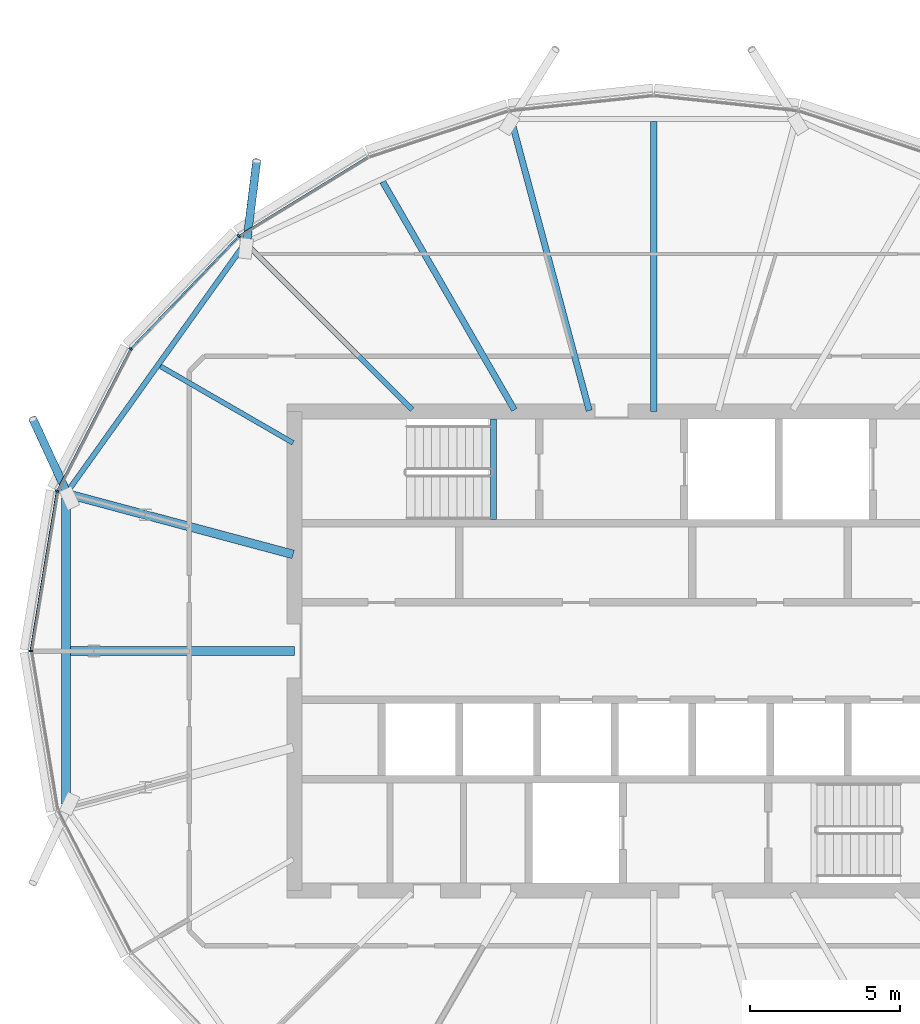
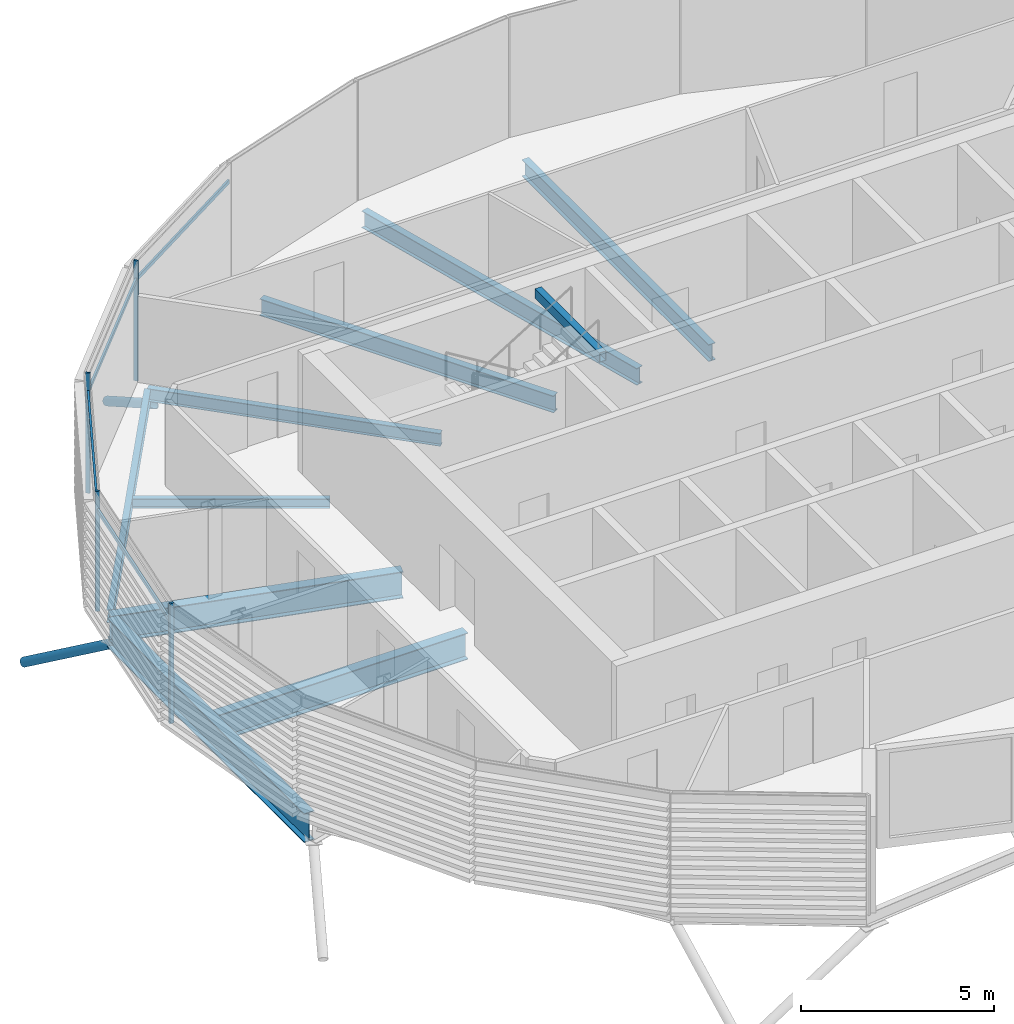
# One storey, part 5 of 35: 10 beams, 10 members, 1 element without a shape of its own.
"""IFC4 building model written with IfcOpenShell, lengths in metres."""

from ifc_helpers import new_model, si_unit, direction, frame, origin, origin_2d, place, context, subcontext, project, spatial, rectangle, hollow_rectangle, hollow_circle, i_section, extrude, clip, halfspace, material, material_profile, profile_set, type_object, element, aggregate, save


model = new_model("IFC4")

# Units and contexts
model_context = context("Model", 3, precision=1e-05, world=origin(), true_north=direction((0.0, 1.0)))
body_context = subcontext(model_context, "Body", "Model", "MODEL_VIEW")
ifc_project = project(units=[si_unit("LENGTHUNIT", "METRE"), si_unit("AREAUNIT", "SQUARE_METRE"), si_unit("VOLUMEUNIT", "CUBIC_METRE"), si_unit("PLANEANGLEUNIT", "RADIAN"), si_unit("MASSUNIT", "GRAM", prefix="KILO")], contexts=[model_context])

# Site, building, storey
site_placement = place(None, origin())
site = spatial("IfcSite", under=ifc_project, at=site_placement, CompositionType="ELEMENT")
building_placement = place(site_placement, origin())
building = spatial("IfcBuilding", under=site, at=building_placement, Name="Rimbun Link Towers", CompositionType="ELEMENT")
storey_placement = place(building_placement, frame((0.0, 0.0, 229.5)))
storey = spatial("IfcBuildingStorey", under=building, at=storey_placement, Name="L56", CompositionType="ELEMENT", Elevation=229.5)

# Curtain wall, members
ifc_material_1 = material(Name="Aluminium 6063-T6 and low-iron glass", Category="aluminium")
curtain_wall_type = type_object("IfcCurtainWallType", Name="CW1-Z4 unitised vision wall (zone 4)", PredefinedType="NOTDEFINED", material=ifc_material_1)
curtain_wall_placement = place(storey_placement, origin())
curtain_wall = element("IfcCurtainWall", 1, at=curtain_wall_placement, inside=storey, type_object=curtain_wall_type, Name="CW1 L56 T1", PredefinedType="NOTDEFINED")
ifc_material_2 = material(Name="Aluminium 6063-T6", Category="aluminium")
ifc_material_profile_1 = material_profile(ifc_material_2, rectangle(XDim=0.1201171875, YDim=0.06005859375, at=origin_2d()), Name="MULLION 60X120")
ifc_profile_set_1 = profile_set([ifc_material_profile_1], Name="Aluminium 6063-T6")
member_type_1 = type_object("IfcMemberType", Name="CW1 mullion 60X120", PredefinedType="MULLION", material=ifc_profile_set_1)
member_1_placement = place(storey_placement, frame((-45.6025390625, 13.86181640625, 0.0), z_axis=(0.0, 0.0, 1.0), x_axis=(-0.627673312143, 0.778476854649, 0.0)))
member_1 = element("IfcMember", 2, at=member_1_placement, type_object=member_type_1, Name="CW1 mullion", PredefinedType="MULLION", context=body_context, shape_type="SweptSolid", body=[
    extrude(rectangle(XDim=0.1201171875, YDim=0.06005859375, at=origin_2d()), origin(), (0.0, 0.0, 1.0), 3.800048828125),
])
member_2_placement = place(storey_placement, frame((-49.217041015625, 10.09130859375, 0.0), z_axis=(0.0, 0.0, 1.0), x_axis=(-0.813353544339, 0.581769724128, 0.0)))
member_2 = element("IfcMember", 3, at=member_2_placement, type_object=member_type_1, Name="CW1 mullion", PredefinedType="MULLION", context=body_context, shape_type="SweptSolid", body=[
    extrude(rectangle(XDim=0.1201171875, YDim=0.06005859375, at=origin_2d()), origin(), (0.0, 0.0, 1.0), 3.800048828125),
])
member_3_placement = place(storey_placement, frame((-51.67431640625, 5.34228515625, 0.0), z_axis=(0.0, 0.0, 1.0), x_axis=(-0.949161267269, 0.314790229704, 0.0)))
member_3 = element("IfcMember", 4, at=member_3_placement, type_object=member_type_1, Name="CW1 mullion", PredefinedType="MULLION", context=body_context, shape_type="SweptSolid", body=[
    extrude(rectangle(XDim=0.1201171875, YDim=0.06005859375, at=origin_2d()), origin(), (0.0, 0.0, 1.0), 3.800048828125),
])
member_4_placement = place(storey_placement, frame((-52.552734375, 0.0, 0.0), z_axis=(0.0, 0.0, 1.0), x_axis=(-1.0, 0.0, 0.0)))
member_4 = element("IfcMember", 5, at=member_4_placement, type_object=member_type_1, Name="CW1 mullion", PredefinedType="MULLION", context=body_context, shape_type="SweptSolid", body=[
    extrude(rectangle(XDim=0.1201171875, YDim=0.06005859375, at=origin_2d()), origin(), (0.0, 0.0, 1.0), 3.800048828125),
])
ifc_material_3 = material(Name="Aluminium 6063-T6", Category="aluminium")
ifc_material_profile_2 = material_profile(ifc_material_3, rectangle(XDim=0.06005859375, YDim=0.1201171875, at=origin_2d()), Name="TRANSOM 60X120")
ifc_profile_set_2 = profile_set([ifc_material_profile_2], Name="Aluminium 6063-T6")
member_type_2 = type_object("IfcMemberType", Name="CW1 transom 60X120", PredefinedType="USERDEFINED", material=ifc_profile_set_2)
member_5_placement = place(storey_placement, frame((-45.56982421875, 13.880126953125, 3.199951171875), z_axis=(0.852186126719, 0.523238765219, 0.0), x_axis=(-0.523238765219, 0.852186126719, 0.0)))
member_5 = element("IfcMember", 6, at=member_5_placement, type_object=member_type_2, Name="CW1 transom", ObjectType="TRANSOM", PredefinedType="USERDEFINED", context=body_context, shape_type="SweptSolid", body=[
    extrude(rectangle(XDim=0.06005859375, YDim=0.1201171875, at=origin_2d()), origin(), (0.0, 0.0, 1.0), 4.99853515625),
])
member_6_placement = place(storey_placement, frame((-49.189453125, 10.118408203125, 3.199951171875), z_axis=(0.692054741988, 0.721845020826, 0.0), x_axis=(-0.721845020826, 0.692054741988, 0.0)))
member_6 = element("IfcMember", 7, at=member_6_placement, type_object=member_type_2, Name="CW1 transom", ObjectType="TRANSOM", PredefinedType="USERDEFINED", context=body_context, shape_type="SweptSolid", body=[
    extrude(rectangle(XDim=0.06005859375, YDim=0.1201171875, at=origin_2d()), origin(), (0.0, 0.0, 1.0), 5.146728515625),
])
member_7_placement = place(storey_placement, frame((-51.655029296875, 5.376708984375, 3.199951171875), z_axis=(0.459551487433, 0.888151130381, 0.0), x_axis=(-0.888151130381, 0.459551487433, 0.0)))
member_7 = element("IfcMember", 8, at=member_7_placement, type_object=member_type_2, Name="CW1 transom", ObjectType="TRANSOM", PredefinedType="USERDEFINED", context=body_context, shape_type="SweptSolid", body=[
    extrude(rectangle(XDim=0.06005859375, YDim=0.1201171875, at=origin_2d()), origin(), (0.0, 0.0, 1.0), 5.26904296875),
])
member_8_placement = place(storey_placement, frame((-52.545166015625, 0.0390625, 3.199951171875), z_axis=(0.162276185326, 0.986745377327, 0.0), x_axis=(-0.986745377327, 0.162276185326, 0.0)))
member_8 = element("IfcMember", 9, at=member_8_placement, type_object=member_type_2, Name="CW1 transom", ObjectType="TRANSOM", PredefinedType="USERDEFINED", context=body_context, shape_type="SweptSolid", body=[
    extrude(rectangle(XDim=0.06005859375, YDim=0.1201171875, at=origin_2d()), origin(), (0.0, 0.0, 1.0), 5.3349609375),
])
aggregate(curtain_wall, [member_1, member_2, member_3, member_4, member_5, member_6, member_7, member_8])

# Members
ifc_material_4 = material(Name="Steel S355J2H", Category="steel")
ifc_material_profile_3 = material_profile(ifc_material_4, hollow_circle(Radius=0.136474609375, WallThickness=0.012451171875, at=origin_2d()), Name="CHS 273x12.5")
ifc_profile_set_3 = profile_set([ifc_material_profile_3], Name="Steel S355J2H")
member_type_3 = type_object("IfcMemberType", Name="Floor edge link CHS 273x12.5", PredefinedType="BRACE", material=ifc_profile_set_3)
member_9_placement = place(storey_placement, frame((-45.347900390625, 13.597900390625, -0.66259765625), z_axis=(0.104720868563, 0.84490194026, -0.524570539616), x_axis=(-0.992406273386, 0.123003205419, 0.0)))
element("IfcMember", 10, at=member_9_placement, inside=storey, type_object=member_type_3, Name="Floor edge link T1 L56 09", PredefinedType="BRACE", context=body_context, shape_type="Clipping", body=[
    clip(extrude(hollow_circle(Radius=0.136474609375, WallThickness=0.012451171875, at=origin_2d()), frame((0.0, 0.0, -0.462158203125)), (0.0, 0.0, 1.0), 3.7470703125), halfspace(frame((0.0, 0.0, -0.2177734375), z_axis=(0.0, 0.851366988418, -0.524570539616)), False)),
])
member_10_placement = place(storey_placement, frame((-51.32177734375, 5.244140625, -1.096923828125), z_axis=(-0.357939573094, 0.772672325151, -0.524267813201), x_axis=(-0.907367981222, -0.420337182096, 0.0)))
element("IfcMember", 11, at=member_10_placement, inside=storey, type_object=member_type_3, Name="Floor edge link T1 L56 11", PredefinedType="BRACE", context=body_context, shape_type="Clipping", body=[
    clip(extrude(hollow_circle(Radius=0.136474609375, WallThickness=0.012451171875, at=origin_2d()), frame((0.0, 0.0, -0.46240234375)), (0.0, 0.0, 1.0), 3.716552734375), halfspace(frame((0.0, 0.0, -0.2177734375), z_axis=(0.0, 0.851553439334, -0.524267813201)), False)),
])

# Beams
ifc_material_5 = material(Name="Steel S355J2", Category="steel")
ifc_material_profile_4 = material_profile(ifc_material_5, hollow_rectangle(XDim=0.199951171875, YDim=0.300048828125, WallThickness=0.011962890625, at=origin_2d()), Name="BOX 300x200x12")
ifc_profile_set_4 = profile_set([ifc_material_profile_4], Name="Steel S355J2")
beam_type_1 = type_object("IfcBeamType", Name="Stair trimmer beam BOX 300x200x12", PredefinedType="BEAM", material=ifc_profile_set_4)
beam_1_placement = place(storey_placement, frame((-37.10009765625, 7.75, 3.510009765625), z_axis=(0.0, -1.0, 0.0), x_axis=(1.0, 0.0, 0.0)))
element("IfcBeam", 12, at=beam_1_placement, inside=storey, type_object=beam_type_1, Name="L56 ST1 stair beam 1", PredefinedType="BEAM", context=body_context, shape_type="SweptSolid", body=[
    extrude(hollow_rectangle(XDim=0.199951171875, YDim=0.300048828125, WallThickness=0.011962890625, at=origin_2d()), origin(), (0.0, 0.0, 1.0), 3.35009765625),
])
ifc_material_6 = material(Name="Steel S355J2", Category="steel")
ifc_material_profile_5 = material_profile(ifc_material_6, i_section(OverallWidth=0.1650390625, OverallDepth=0.303466796875, WebThickness=0.006103515625, FlangeThickness=0.01025390625, at=origin_2d()), Name="UB 305x165x40")
ifc_profile_set_5 = profile_set([ifc_material_profile_5], Name="Steel S355J2")
beam_type_2 = type_object("IfcBeamType", Name="UB 305x165x40", PredefinedType="BEAM", material=ifc_profile_set_5)
beam_2_placement = place(storey_placement, frame((-43.7919921875, 6.952392578125, -0.291748046875), z_axis=(-0.866016235635, 0.500015879365, 0.0), x_axis=(-0.500015879365, -0.866016235635, 0.0)))
element("IfcBeam", 13, at=beam_2_placement, inside=storey, type_object=beam_type_2, Name="Radial beam T1 L56 10", PredefinedType="BEAM", context=body_context, shape_type="SweptSolid", body=[
    extrude(i_section(OverallWidth=0.1650390625, OverallDepth=0.303466796875, WebThickness=0.006103515625, FlangeThickness=0.01025390625, at=origin_2d()), origin(), (0.0, 0.0, 1.0), 5.113525390625),
])
ifc_material_7 = material(Name="Steel S355J2", Category="steel")
ifc_material_profile_6 = material_profile(ifc_material_7, i_section(OverallWidth=0.177978515625, OverallDepth=0.406494140625, WebThickness=0.0078125, FlangeThickness=0.0126953125, at=origin_2d()), Name="UB 406x178x60")
ifc_profile_set_6 = profile_set([ifc_material_profile_6], Name="Steel S355J2")
beam_type_3 = type_object("IfcBeamType", Name="UB 406x178x60", PredefinedType="BEAM", material=ifc_profile_set_6)
beam_3_placement = place(storey_placement, frame((-39.813720703125, 8.063720703125, -0.34326171875), z_axis=(-0.707106781187, 0.707106781187, 0.0), x_axis=(-0.707106781187, -0.707106781187, 0.0)))
element("IfcBeam", 14, at=beam_3_placement, inside=storey, type_object=beam_type_3, Name="Radial beam T1 L56 09", PredefinedType="BEAM", context=body_context, shape_type="SweptSolid", body=[
    extrude(i_section(OverallWidth=0.177978515625, OverallDepth=0.406494140625, WebThickness=0.0078125, FlangeThickness=0.0126953125, at=origin_2d()), origin(), (0.0, 0.0, 1.0), 7.87646484375),
])
beam_4_placement = place(storey_placement, frame((-45.436279296875, 13.55908203125, -0.34326171875), z_axis=(-0.581495601018, -0.813549547352, 0.0), x_axis=(0.813549547352, -0.581495601018, 0.0)))
element("IfcBeam", 15, at=beam_4_placement, inside=storey, type_object=beam_type_3, Name="Edge beam T1 L56 09-11", PredefinedType="BEAM", context=body_context, shape_type="SweptSolid", body=[
    extrude(i_section(OverallWidth=0.177978515625, OverallDepth=0.406494140625, WebThickness=0.0078125, FlangeThickness=0.0126953125, at=origin_2d()), origin(), (0.0, 0.0, 1.0), 10.04736328125),
])
ifc_material_8 = material(Name="Steel S355J2", Category="steel")
ifc_material_profile_7 = material_profile(ifc_material_8, i_section(OverallWidth=0.209228515625, OverallDepth=0.533203125, WebThickness=0.010009765625, FlangeThickness=0.015625, at=origin_2d()), Name="UB 533x210x92")
ifc_profile_set_7 = profile_set([ifc_material_profile_7], Name="Steel S355J2")
beam_type_4 = type_object("IfcBeamType", Name="UB 533x210x92", PredefinedType="BEAM", material=ifc_profile_set_7)
beam_5_placement = place(storey_placement, frame((-31.75, 8.0009765625, -0.406494140625), z_axis=(0.0, 1.0, 0.0), x_axis=(-1.0, 0.0, 0.0)))
element("IfcBeam", 16, at=beam_5_placement, inside=storey, type_object=beam_type_4, Name="Radial beam T1 L56 06", PredefinedType="BEAM", context=body_context, shape_type="SweptSolid", body=[
    extrude(i_section(OverallWidth=0.209228515625, OverallDepth=0.533203125, WebThickness=0.010009765625, FlangeThickness=0.015625, at=origin_2d()), origin(), (0.0, 0.0, 1.0), 9.676513671875),
])
beam_6_placement = place(storey_placement, frame((-33.901123046875, 8.028076171875, -0.406494140625), z_axis=(-0.25881233255, 0.965927624887, 0.0), x_axis=(-0.965927624887, -0.25881233255, 0.0)))
element("IfcBeam", 17, at=beam_6_placement, inside=storey, type_object=beam_type_4, Name="Radial beam T1 L56 07", PredefinedType="BEAM", context=body_context, shape_type="SweptSolid", body=[
    extrude(i_section(OverallWidth=0.209228515625, OverallDepth=0.533203125, WebThickness=0.010009765625, FlangeThickness=0.015625, at=origin_2d()), origin(), (0.0, 0.0, 1.0), 10.0830078125),
])
beam_7_placement = place(storey_placement, frame((-36.3994140625, 8.05322265625, -0.406494140625), z_axis=(-0.500010759992, 0.866019191411, 0.0), x_axis=(-0.866019191411, -0.500010759992, 0.0)))
element("IfcBeam", 18, at=beam_7_placement, inside=storey, type_object=beam_type_4, Name="Radial beam T1 L56 08", PredefinedType="BEAM", context=body_context, shape_type="SweptSolid", body=[
    extrude(i_section(OverallWidth=0.209228515625, OverallDepth=0.533203125, WebThickness=0.010009765625, FlangeThickness=0.015625, at=origin_2d()), origin(), (0.0, 0.0, 1.0), 8.796142578125),
])
ifc_material_9 = material(Name="Steel S355J2", Category="steel")
ifc_material_profile_8 = material_profile(ifc_material_9, i_section(OverallWidth=0.29248046875, OverallDepth=0.8408203125, WebThickness=0.0126953125, FlangeThickness=0.021728515625, at=origin_2d()), Name="UB 838x292x194")
ifc_profile_set_8 = profile_set([ifc_material_profile_8], Name="Steel S355J2")
beam_type_5 = type_object("IfcBeamType", Name="UB 838x292x194", PredefinedType="BEAM", material=ifc_profile_set_8)
beam_8_placement = place(storey_placement, frame((-43.788818359375, 3.225830078125, -0.560302734375), z_axis=(-0.965930696307, 0.258800869265, 0.0), x_axis=(-0.258800869265, -0.965930696307, 0.0)))
element("IfcBeam", 19, at=beam_8_placement, inside=storey, type_object=beam_type_5, Name="Radial beam T1 L56 11", PredefinedType="BEAM", context=body_context, shape_type="SweptSolid", body=[
    extrude(i_section(OverallWidth=0.29248046875, OverallDepth=0.8408203125, WebThickness=0.0126953125, FlangeThickness=0.021728515625, at=origin_2d()), origin(), (0.0, 0.0, 1.0), 7.8486328125),
])
beam_9_placement = place(storey_placement, frame((-43.7509765625, 0.0, -0.560302734375), z_axis=(-1.0, 0.0, 0.0), x_axis=(0.0, -1.0, 0.0)))
element("IfcBeam", 20, at=beam_9_placement, inside=storey, type_object=beam_type_5, Name="Radial beam T1 L56 12", PredefinedType="BEAM", context=body_context, shape_type="SweptSolid", body=[
    extrude(i_section(OverallWidth=0.29248046875, OverallDepth=0.8408203125, WebThickness=0.0126953125, FlangeThickness=0.021728515625, at=origin_2d()), origin(), (0.0, 0.0, 1.0), 7.46533203125),
])
ifc_material_10 = material(Name="Steel S355J2", Category="steel")
ifc_material_profile_9 = material_profile(ifc_material_10, i_section(OverallWidth=0.305419921875, OverallDepth=0.91845703125, WebThickness=0.017333984375, FlangeThickness=0.02783203125, at=origin_2d()), Name="UB 914x305x253")
ifc_profile_set_9 = profile_set([ifc_material_profile_9], Name="Steel S355J2")
beam_type_6 = type_object("IfcBeamType", Name="UB 914x305x253", PredefinedType="BEAM", material=ifc_profile_set_9)
beam_10_placement = place(storey_placement, frame((-51.3701171875, 5.104736328125, -0.59912109375), z_axis=(0.0, -1.0, 0.0), x_axis=(1.0, 0.0, 0.0)))
element("IfcBeam", 21, at=beam_10_placement, inside=storey, type_object=beam_type_6, Name="Edge beam T1 L56 11-13", PredefinedType="BEAM", context=body_context, shape_type="SweptSolid", body=[
    extrude(i_section(OverallWidth=0.305419921875, OverallDepth=0.91845703125, WebThickness=0.017333984375, FlangeThickness=0.02783203125, at=origin_2d()), origin(), (0.0, 0.0, 1.0), 10.20947265625),
])

save(model, "model.ifc")
